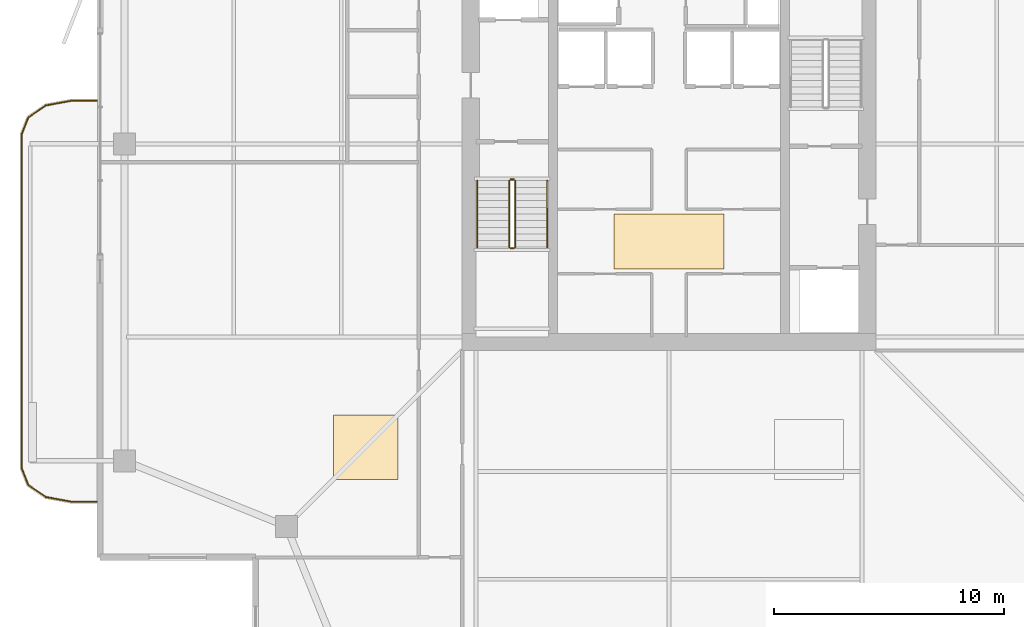
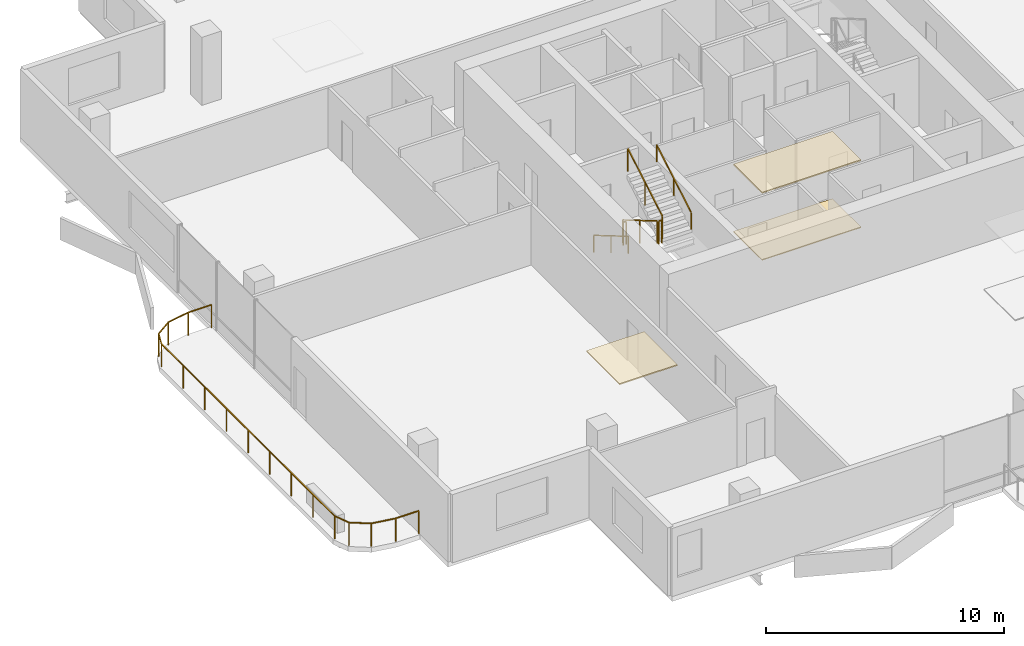
# One storey, part 21 of 24: 7 railings, 3 coverings.
"""IFC4 building model written with IfcOpenShell, lengths in metres."""

from ifc_helpers import new_model, si_unit, direction, frame, origin, origin_2d, place, context, subcontext, project, spatial, polyline, rectangle, outline, extrude, material, layer, layer_set, type_object, element, save


model = new_model("IFC4")

# Units and contexts
model_context = context("Model", 3, precision=1e-05, world=origin(), true_north=direction((0.0, 1.0)))
body_context = subcontext(model_context, "Body", "Model", "MODEL_VIEW")
ifc_project = project(units=[si_unit("LENGTHUNIT", "METRE"), si_unit("AREAUNIT", "SQUARE_METRE"), si_unit("VOLUMEUNIT", "CUBIC_METRE"), si_unit("PLANEANGLEUNIT", "RADIAN"), si_unit("MASSUNIT", "GRAM", prefix="KILO")], contexts=[model_context])

# Site, building, storey
site_placement = place(None, origin())
site = spatial("IfcSite", under=ifc_project, at=site_placement, CompositionType="ELEMENT")
building_placement = place(site_placement, origin())
building = spatial("IfcBuilding", under=site, at=building_placement, Name="Belovzor Exchange Tower", CompositionType="ELEMENT")
storey_placement = place(building_placement, frame((0.0, 0.0, 261.60009765625)))
storey = spatial("IfcBuildingStorey", under=building, at=storey_placement, Name="L65", CompositionType="ELEMENT", Elevation=261.60009765625)

# Railings
ifc_material_1 = material(Name="Stainless Steel Grade 304", Category="steel")
railing_type_1 = type_object("IfcRailingType", Name="Brushed Stainless Steel Stair Handrail 900", PredefinedType="HANDRAIL", material=ifc_material_1)
railing_1_placement = place(storey_placement, frame((20.449951171875, 27.199951171875, 0.17041015625)))
element("IfcRailing", 1, at=railing_1_placement, inside=storey, type_object=railing_type_1, Name="L65 ST-1 stair handrail 1", PredefinedType="HANDRAIL", context=body_context, shape_type="SweptSolid", body=[
    extrude(rectangle(XDim=0.048095703125, YDim=0.048095703125, at=origin_2d()), frame((0.0, 0.0, 0.8759765625), z_axis=(0.0, -0.86209462966, 0.506747323142), x_axis=(1.0, 0.0, 0.0)), (0.0, 0.0, 1.0), 3.36376953125),
    extrude(rectangle(XDim=0.0419921875, YDim=0.0419921875, at=origin_2d()), origin(), (0.0, 0.0, 1.0), 0.851806640625),
    extrude(rectangle(XDim=0.0419921875, YDim=0.0419921875, at=origin_2d()), frame((0.0, -1.449951171875, 0.852294921875)), (0.0, 0.0, 1.0), 0.851806640625),
    extrude(rectangle(XDim=0.0419921875, YDim=0.0419921875, at=origin_2d()), frame((0.0, -2.89990234375, 1.70458984375)), (0.0, 0.0, 1.0), 0.851806640625),
])
railing_2_placement = place(storey_placement, frame((23.5, 24.300048828125, 2.04541015625)))
element("IfcRailing", 2, at=railing_2_placement, inside=storey, type_object=railing_type_1, Name="L65 ST-1 stair handrail 2", PredefinedType="HANDRAIL", context=body_context, shape_type="SweptSolid", body=[
    extrude(rectangle(XDim=0.048095703125, YDim=0.048095703125, at=origin_2d()), frame((0.0, 0.0, 0.8759765625), z_axis=(0.0, 0.86209462966, 0.506747323142), x_axis=(-1.0, 0.0, 0.0)), (0.0, 0.0, 1.0), 3.36376953125),
    extrude(rectangle(XDim=0.0419921875, YDim=0.0419921875, at=origin_2d()), origin(), (0.0, 0.0, 1.0), 0.851806640625),
    extrude(rectangle(XDim=0.0419921875, YDim=0.0419921875, at=origin_2d()), frame((0.0, 1.449951171875, 0.852294921875)), (0.0, 0.0, 1.0), 0.851806640625),
    extrude(rectangle(XDim=0.0419921875, YDim=0.0419921875, at=origin_2d()), frame((0.0, 2.89990234375, 1.70458984375)), (0.0, 0.0, 1.0), 0.851806640625),
])
ifc_material_2 = material(Name="Stainless Steel and Laminated Safety Glass", Category="steel")
railing_type_2 = type_object("IfcRailingType", Name="Laminated Glass & Stainless Steel Balcony Balustrade 1200", PredefinedType="BALUSTRADE", material=ifc_material_2)
railing_3_placement = place(storey_placement, frame((3.889892578125, 30.669921875, 0.0)))
element("IfcRailing", 3, at=railing_3_placement, inside=storey, type_object=railing_type_2, Name="GR-1 Balcony Balustrade L65 West", PredefinedType="BALUSTRADE", context=body_context, shape_type="SweptSolid", body=[
    extrude(rectangle(XDim=0.048095703125, YDim=0.048095703125, at=origin_2d()), frame((0.0, 0.0, 1.17578125), z_axis=(-1.0, 0.0, 0.0), x_axis=(0.0, -1.0, 0.0)), (0.0, 0.0, 1.0), 1.1328125),
    extrude(rectangle(XDim=0.048095703125, YDim=0.048095703125, at=origin_2d()), frame((-1.1328125, 0.0, 1.17578125), z_axis=(-0.983651385113, -0.180083182347, 0.0), x_axis=(0.180083182347, -0.983651385113, 0.0)), (0.0, 0.0, 1.0), 1.093994140625),
    extrude(rectangle(XDim=0.048095703125, YDim=0.048095703125, at=origin_2d()), frame((-2.208984375, -0.197021484375, 1.17578125), z_axis=(-0.826614792125, -0.562768145367, 0.0), x_axis=(0.562768145367, -0.826614792125, 0.0)), (0.0, 0.0, 1.0), 0.9326171875),
    extrude(rectangle(XDim=0.048095703125, YDim=0.048095703125, at=origin_2d()), frame((-2.97998046875, -0.721923828125, 1.17578125), z_axis=(-0.365612923861, -0.930766990125, 0.0), x_axis=(0.930766990125, -0.365612923861, 0.0)), (0.0, 0.0, 1.0), 0.765869140625),
    extrude(rectangle(XDim=0.048095703125, YDim=0.048095703125, at=origin_2d()), frame((-3.260009765625, -1.434814453125, 1.17578125), z_axis=(0.0, -1.0, 0.0), x_axis=(1.0, 0.0, 0.0)), (0.0, 0.0, 1.0), 14.570068359375),
    extrude(rectangle(XDim=0.048095703125, YDim=0.048095703125, at=origin_2d()), frame((-3.260009765625, -16.0048828125, 1.17578125), z_axis=(0.365504480807, -0.930809580156, 0.0), x_axis=(0.930809580156, 0.365504480807, 0.0)), (0.0, 0.0, 1.0), 0.76611328125),
    extrude(rectangle(XDim=0.048095703125, YDim=0.048095703125, at=origin_2d()), frame((-2.97998046875, -16.718017578125, 1.17578125), z_axis=(0.826614792125, -0.562768145367, 0.0), x_axis=(0.562768145367, 0.826614792125, 0.0)), (0.0, 0.0, 1.0), 0.9326171875),
    extrude(rectangle(XDim=0.048095703125, YDim=0.048095703125, at=origin_2d()), frame((-2.208984375, -17.242919921875, 1.17578125), z_axis=(0.983651385113, -0.180083182347, 0.0), x_axis=(0.180083182347, 0.983651385113, 0.0)), (0.0, 0.0, 1.0), 1.093994140625),
    extrude(rectangle(XDim=0.048095703125, YDim=0.048095703125, at=origin_2d()), frame((-1.1328125, -17.43994140625, 1.17578125), z_axis=(1.0, 0.0, 0.0), x_axis=(0.0, 1.0, 0.0)), (0.0, 0.0, 1.0), 1.1328125),
    extrude(rectangle(XDim=0.0419921875, YDim=0.0419921875, at=origin_2d()), origin(), (0.0, 0.0, 1.0), 1.15185546875),
    extrude(rectangle(XDim=0.0419921875, YDim=0.0419921875, at=origin_2d()), frame((-1.1328125, 0.0, 0.0)), (0.0, 0.0, 1.0), 1.15185546875),
    extrude(rectangle(XDim=0.0419921875, YDim=0.0419921875, at=origin_2d()), frame((-2.208984375, -0.197021484375, 0.0)), (0.0, 0.0, 1.0), 1.15185546875),
    extrude(rectangle(XDim=0.0419921875, YDim=0.0419921875, at=origin_2d()), frame((-2.97998046875, -0.721923828125, 0.0)), (0.0, 0.0, 1.0), 1.15185546875),
    extrude(rectangle(XDim=0.0419921875, YDim=0.0419921875, at=origin_2d()), frame((-3.260009765625, -1.434814453125, 0.0)), (0.0, 0.0, 1.0), 1.15185546875),
    extrude(rectangle(XDim=0.0419921875, YDim=0.0419921875, at=origin_2d()), frame((-3.260009765625, -3.256103515625, 0.0)), (0.0, 0.0, 1.0), 1.15185546875),
    extrude(rectangle(XDim=0.0419921875, YDim=0.0419921875, at=origin_2d()), frame((-3.260009765625, -5.077392578125, 0.0)), (0.0, 0.0, 1.0), 1.15185546875),
    extrude(rectangle(XDim=0.0419921875, YDim=0.0419921875, at=origin_2d()), frame((-3.260009765625, -6.898681640625, 0.0)), (0.0, 0.0, 1.0), 1.15185546875),
    extrude(rectangle(XDim=0.0419921875, YDim=0.0419921875, at=origin_2d()), frame((-3.260009765625, -8.7197265625, 0.0)), (0.0, 0.0, 1.0), 1.15185546875),
    extrude(rectangle(XDim=0.0419921875, YDim=0.0419921875, at=origin_2d()), frame((-3.260009765625, -10.541015625, 0.0)), (0.0, 0.0, 1.0), 1.15185546875),
    extrude(rectangle(XDim=0.0419921875, YDim=0.0419921875, at=origin_2d()), frame((-3.260009765625, -12.3623046875, 0.0)), (0.0, 0.0, 1.0), 1.15185546875),
    extrude(rectangle(XDim=0.0419921875, YDim=0.0419921875, at=origin_2d()), frame((-3.260009765625, -14.18359375, 0.0)), (0.0, 0.0, 1.0), 1.15185546875),
    extrude(rectangle(XDim=0.0419921875, YDim=0.0419921875, at=origin_2d()), frame((-3.260009765625, -16.0048828125, 0.0)), (0.0, 0.0, 1.0), 1.15185546875),
    extrude(rectangle(XDim=0.0419921875, YDim=0.0419921875, at=origin_2d()), frame((-2.97998046875, -16.718017578125, 0.0)), (0.0, 0.0, 1.0), 1.15185546875),
    extrude(rectangle(XDim=0.0419921875, YDim=0.0419921875, at=origin_2d()), frame((-2.208984375, -17.242919921875, 0.0)), (0.0, 0.0, 1.0), 1.15185546875),
    extrude(rectangle(XDim=0.0419921875, YDim=0.0419921875, at=origin_2d()), frame((-1.1328125, -17.43994140625, 0.0)), (0.0, 0.0, 1.0), 1.15185546875),
    extrude(rectangle(XDim=0.0419921875, YDim=0.0419921875, at=origin_2d()), frame((0.0, -17.43994140625, 0.0)), (0.0, 0.0, 1.0), 1.15185546875),
])
ifc_material_3 = material(Name="Steel S355", Category="steel")
railing_type_3 = type_object("IfcRailingType", Name="Painted Steel Stairwell Guardrail 1200", PredefinedType="GUARDRAIL", material=ifc_material_3)
railing_4_placement = place(storey_placement, frame((21.85009765625, 27.199951171875, 0.17041015625)))
element("IfcRailing", 4, at=railing_4_placement, inside=storey, type_object=railing_type_3, Name="L65 ST-1 stair guard 1", PredefinedType="GUARDRAIL", context=body_context, shape_type="SweptSolid", body=[
    extrude(rectangle(XDim=0.048095703125, YDim=0.048095703125, at=origin_2d()), frame((0.0, 0.0, 1.17578125), z_axis=(0.0, -0.86209462966, 0.506747323142), x_axis=(1.0, 0.0, 0.0)), (0.0, 0.0, 1.0), 3.36376953125),
    extrude(rectangle(XDim=0.0419921875, YDim=0.0419921875, at=origin_2d()), origin(), (0.0, 0.0, 1.0), 1.15185546875),
    extrude(rectangle(XDim=0.0419921875, YDim=0.0419921875, at=origin_2d()), frame((0.0, -1.449951171875, 0.852294921875)), (0.0, 0.0, 1.0), 1.15185546875),
    extrude(rectangle(XDim=0.0419921875, YDim=0.0419921875, at=origin_2d()), frame((0.0, -2.89990234375, 1.70458984375)), (0.0, 0.0, 1.0), 1.15185546875),
])
railing_5_placement = place(storey_placement, frame((21.89990234375, 24.25, 1.875)))
element("IfcRailing", 5, at=railing_5_placement, inside=storey, type_object=railing_type_3, Name="L65 ST-1 stair guard 2", PredefinedType="GUARDRAIL", context=body_context, shape_type="SweptSolid", body=[
    extrude(rectangle(XDim=0.048095703125, YDim=0.048095703125, at=origin_2d()), frame((0.0, 0.0, 1.17578125), z_axis=(1.0, 0.0, 0.0), x_axis=(0.0, 1.0, 0.0)), (0.0, 0.0, 1.0), 0.150146484375),
    extrude(rectangle(XDim=0.0419921875, YDim=0.0419921875, at=origin_2d()), origin(), (0.0, 0.0, 1.0), 1.15185546875),
    extrude(rectangle(XDim=0.0419921875, YDim=0.0419921875, at=origin_2d()), frame((0.150146484375, 0.0, 0.0)), (0.0, 0.0, 1.0), 1.15185546875),
])
railing_6_placement = place(storey_placement, frame((22.10009765625, 24.300048828125, 2.04541015625)))
element("IfcRailing", 6, at=railing_6_placement, inside=storey, type_object=railing_type_3, Name="L65 ST-1 stair guard 3", PredefinedType="GUARDRAIL", context=body_context, shape_type="SweptSolid", body=[
    extrude(rectangle(XDim=0.048095703125, YDim=0.048095703125, at=origin_2d()), frame((0.0, 0.0, 1.17578125), z_axis=(0.0, 0.86209462966, 0.506747323142), x_axis=(-1.0, 0.0, 0.0)), (0.0, 0.0, 1.0), 3.36376953125),
    extrude(rectangle(XDim=0.0419921875, YDim=0.0419921875, at=origin_2d()), origin(), (0.0, 0.0, 1.0), 1.15185546875),
    extrude(rectangle(XDim=0.0419921875, YDim=0.0419921875, at=origin_2d()), frame((0.0, 1.449951171875, 0.852294921875)), (0.0, 0.0, 1.0), 1.15185546875),
    extrude(rectangle(XDim=0.0419921875, YDim=0.0419921875, at=origin_2d()), frame((0.0, 2.89990234375, 1.70458984375)), (0.0, 0.0, 1.0), 1.15185546875),
])
railing_7_placement = place(storey_placement, frame((21.89990234375, 27.25, 0.0)))
element("IfcRailing", 7, at=railing_7_placement, inside=storey, type_object=railing_type_3, Name="L65 ST-1 stair guard 4", PredefinedType="GUARDRAIL", context=body_context, shape_type="SweptSolid", body=[
    extrude(rectangle(XDim=0.048095703125, YDim=0.048095703125, at=origin_2d()), frame((0.0, 0.0, 1.17578125), z_axis=(1.0, 0.0, 0.0), x_axis=(0.0, 1.0, 0.0)), (0.0, 0.0, 1.0), 0.150146484375),
    extrude(rectangle(XDim=0.0419921875, YDim=0.0419921875, at=origin_2d()), origin(), (0.0, 0.0, 1.0), 1.15185546875),
    extrude(rectangle(XDim=0.0419921875, YDim=0.0419921875, at=origin_2d()), frame((0.150146484375, 0.0, 0.0)), (0.0, 0.0, 1.0), 1.15185546875),
])

# Coverings
ifc_material_4 = material(Name="Perforated Powder-Coated Aluminium", Category="aluminium")
ifc_layer_1 = layer(ifc_material_4, 0.06005859375)
ifc_layer_set_1 = layer_set([ifc_layer_1], Name="Perforated Powder-Coated Aluminium")
covering_type_1 = type_object("IfcCoveringType", Name="Perforated Acoustic Metal Tile Suspended Ceiling 60", PredefinedType="CEILING", material=ifc_layer_set_1)
covering_1_placement = place(storey_placement, frame((0.0, 0.0, 3.43994140625)))
element("IfcCovering", 8, at=covering_1_placement, inside=storey, type_object=covering_type_1, Name="CLG-AC60 Suspended Ceiling CLG-L65-LOB", PredefinedType="CEILING", context=body_context, shape_type="SweptSolid", body=[
    extrude(outline(polyline([(26.39990234375, 23.35009765625), (31.199951171875, 23.35009765625), (31.199951171875, 25.75), (26.39990234375, 25.75), (26.39990234375, 23.35009765625)])), origin(), (0.0, 0.0, 1.0), 0.06005859375),
])
covering_2_placement = place(storey_placement, frame((0.0, 0.0, 3.43994140625)))
element("IfcCovering", 9, at=covering_2_placement, inside=storey, type_object=covering_type_1, Name="CLG-AC60 Suspended Ceiling CLG-L65-Z0", PredefinedType="CEILING", context=body_context, shape_type="SweptSolid", body=[
    extrude(outline(polyline([(14.199951171875, 14.199951171875), (17.0, 14.199951171875), (17.0, 17.0), (14.199951171875, 17.0), (14.199951171875, 14.199951171875)])), origin(), (0.0, 0.0, 1.0), 0.06005859375),
])
ifc_material_5 = material(Name="Polished Natural Granite Tile", Category="masonry")
ifc_layer_2 = layer(ifc_material_5, 0.050048828125)
ifc_layer_set_2 = layer_set([ifc_layer_2], Name="Polished Natural Granite Tile")
covering_type_2 = type_object("IfcCoveringType", Name="Polished Karelian Granite & Raised Access Floor Finish 50", PredefinedType="FLOORING", material=ifc_layer_set_2)
covering_3_placement = place(storey_placement, origin())
element("IfcCovering", 10, at=covering_3_placement, inside=storey, type_object=covering_type_2, Name="FLR-GR50 Floor Finish FLR-L65-LOB", PredefinedType="FLOORING", context=body_context, shape_type="SweptSolid", body=[
    extrude(outline(polyline([(26.39990234375, 23.35009765625), (31.199951171875, 23.35009765625), (31.199951171875, 25.75), (26.39990234375, 25.75), (26.39990234375, 23.35009765625)])), origin(), (0.0, 0.0, 1.0), 0.0498046875),
])

save(model, "model.ifc")
